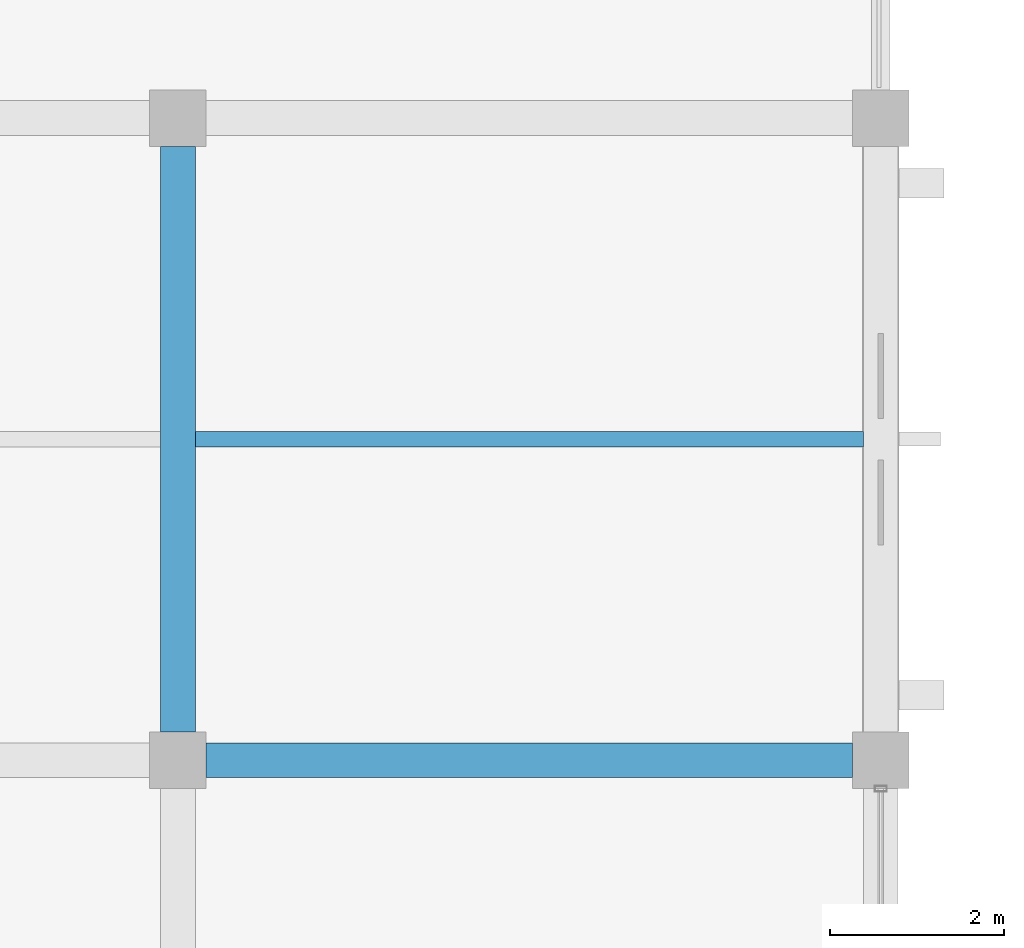
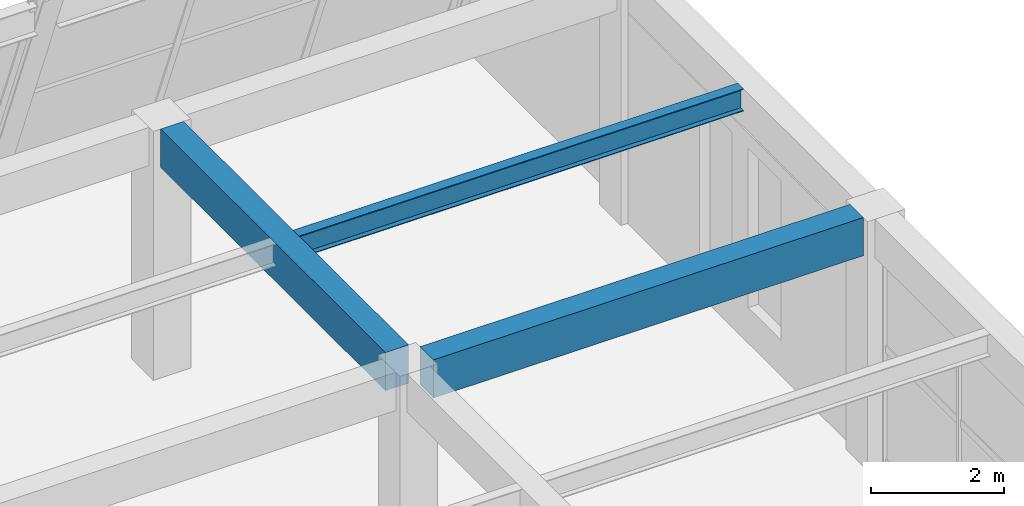
# One storey, part 99 of 161: 3 beams.
"""IFC4 building model written with IfcOpenShell, lengths in metres."""

from ifc_helpers import new_model, si_unit, direction, frame, origin, origin_2d, place, context, subcontext, project, spatial, rectangle, i_section, extrude, material, material_profile, profile_set, type_object, element, save


model = new_model("IFC4")

# Units and contexts
model_context = context("Model", 3, precision=1e-05, world=origin(), true_north=direction((0.0, 1.0)))
body_context = subcontext(model_context, "Body", "Model", "MODEL_VIEW")
ifc_project = project(units=[si_unit("LENGTHUNIT", "METRE"), si_unit("AREAUNIT", "SQUARE_METRE"), si_unit("VOLUMEUNIT", "CUBIC_METRE"), si_unit("PLANEANGLEUNIT", "RADIAN"), si_unit("MASSUNIT", "GRAM", prefix="KILO")], contexts=[model_context])

# Site, building, storey
site_placement = place(None, origin())
site = spatial("IfcSite", under=ifc_project, at=site_placement, CompositionType="ELEMENT")
building_placement = place(site_placement, origin())
building = spatial("IfcBuilding", under=site, at=building_placement, Name="Cimatlan Art Gallery", CompositionType="ELEMENT")
storey_placement = place(building_placement, frame((0.0, 0.0, 5.39990234375)))
storey = spatial("IfcBuildingStorey", under=building, at=storey_placement, Name="L01", CompositionType="ELEMENT", Elevation=5.39990234375)

# Beams
ifc_material_1 = material(Name="Concrete C40/50", Category="concrete")
ifc_material_profile_1 = material_profile(ifc_material_1, rectangle(XDim=0.39990234375, YDim=0.699951171875, at=origin_2d()), Name="RC400X700")
ifc_profile_set_1 = profile_set([ifc_material_profile_1], Name="Concrete C40/50")
beam_type_1 = type_object("IfcBeamType", Name="BM-RC-400X700", PredefinedType="BEAM", material=ifc_profile_set_1)
beam_1_placement = place(storey_placement, frame((123.5, 83.425048828125, 4.210205078125), z_axis=(0.0, 1.0, 0.0), x_axis=(-1.0, 0.0, 0.0)))
element("IfcBeam", 1, at=beam_1_placement, inside=storey, type_object=beam_type_1, Name="BM-Y-L01-15-11", PredefinedType="BEAM", context=body_context, shape_type="SweptSolid", body=[
    extrude(rectangle(XDim=0.39990234375, YDim=0.699951171875, at=origin_2d()), origin(), (0.0, 0.0, 1.0), 6.75),
])
beam_2_placement = place(storey_placement, frame((123.824951171875, 83.10009765625, 4.210205078125), z_axis=(1.0, 0.0, 0.0), x_axis=(0.0, 1.0, 0.0)))
element("IfcBeam", 2, at=beam_2_placement, inside=storey, type_object=beam_type_1, Name="BM-X-L01-15-11", PredefinedType="BEAM", context=body_context, shape_type="SweptSolid", body=[
    extrude(rectangle(XDim=0.39990234375, YDim=0.699951171875, at=origin_2d()), origin(), (0.0, 0.0, 1.0), 7.449951171875),
])
ifc_material_2 = material(Name="Steel ASTM A992 Grade 50", Category="steel")
ifc_material_profile_2 = material_profile(ifc_material_2, i_section(OverallWidth=0.177978515625, OverallDepth=0.406982421875, WebThickness=0.0078125, FlangeThickness=0.0126953125, at=origin_2d()), Name="W16X40")
ifc_profile_set_2 = profile_set([ifc_material_profile_2], Name="Steel ASTM A992 Grade 50")
beam_type_2 = type_object("IfcBeamType", Name="BM-STL-W16X40", PredefinedType="JOIST", material=ifc_profile_set_2)
beam_3_placement = place(storey_placement, frame((123.699951171875, 86.800048828125, 4.356689453125), z_axis=(1.0, 0.0, 0.0), x_axis=(0.0, 1.0, 0.0)))
element("IfcBeam", 3, at=beam_3_placement, inside=storey, type_object=beam_type_2, Name="JST-L01-15-11", PredefinedType="JOIST", context=body_context, shape_type="SweptSolid", body=[
    extrude(i_section(OverallWidth=0.177978515625, OverallDepth=0.406982421875, WebThickness=0.0078125, FlangeThickness=0.0126953125, at=origin_2d()), origin(), (0.0, 0.0, 1.0), 7.699951171875),
])

save(model, "model.ifc")
